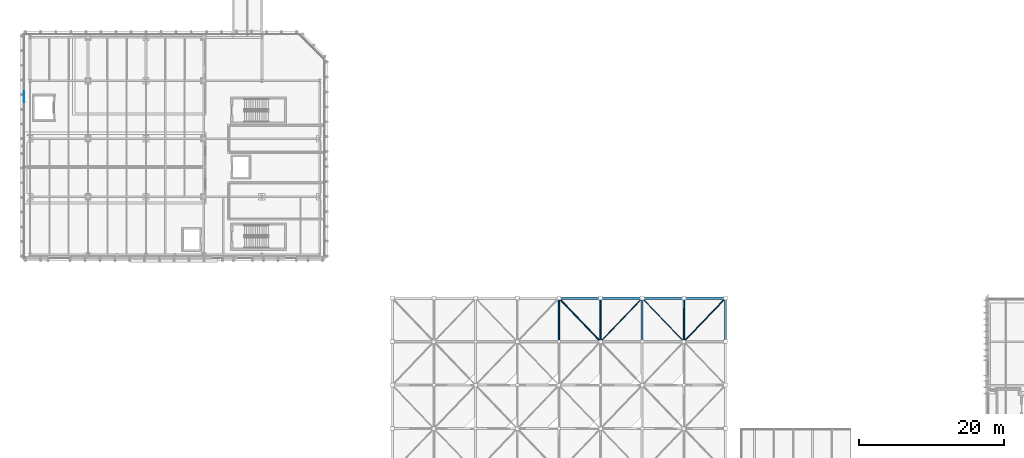
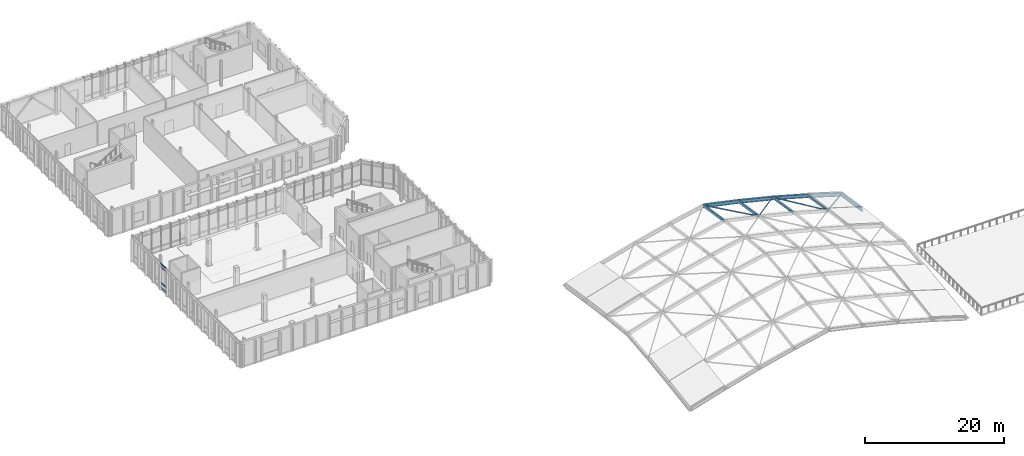
# One storey, part 14 of 62: 12 members, 5 beams, 1 element without a shape of its own.
"""IFC4 building model written with IfcOpenShell, lengths in metres."""

from ifc_helpers import new_model, si_unit, direction, frame, origin, origin_2d, place, context, subcontext, project, spatial, rectangle, hollow_circle, i_section, extrude, material, material_profile, profile_set, type_object, element, aggregate, save


model = new_model("IFC4")

# Units and contexts
model_context = context("Model", 3, precision=1e-05, world=origin(), true_north=direction((0.0, 1.0)))
body_context = subcontext(model_context, "Body", "Model", "MODEL_VIEW")
ifc_project = project(units=[si_unit("LENGTHUNIT", "METRE"), si_unit("AREAUNIT", "SQUARE_METRE"), si_unit("VOLUMEUNIT", "CUBIC_METRE"), si_unit("PLANEANGLEUNIT", "RADIAN"), si_unit("MASSUNIT", "GRAM", prefix="KILO")], contexts=[model_context])

# Site, building, storey
site_placement = place(None, origin())
site = spatial("IfcSite", under=ifc_project, at=site_placement, CompositionType="ELEMENT")
building_placement = place(site_placement, origin())
building = spatial("IfcBuilding", under=site, at=building_placement, Name="Cymarion Research Institute", CompositionType="ELEMENT")
storey_placement = place(building_placement, frame((0.0, 0.0, 18.300048828125)))
storey = spatial("IfcBuildingStorey", under=building, at=storey_placement, Name="L04", CompositionType="ELEMENT", Elevation=18.300048828125)

# Curtain wall, members
ifc_material_1 = material(Name="Anodised aluminium unitised curtain wall with Low-E glazing", Category="aluminium")
curtain_wall_type = type_object("IfcCurtainWallType", Name="UNITISED CURTAIN WALL CW43 6180X4240", PredefinedType="NOTDEFINED", material=ifc_material_1)
curtain_wall_placement = place(storey_placement, origin())
curtain_wall = element("IfcCurtainWall", 1, at=curtain_wall_placement, inside=storey, type_object=curtain_wall_type, Name="L04 V4 unitised curtain wall CW43 #189", PredefinedType="NOTDEFINED")
ifc_material_2 = material(Name="Anodised aluminium framing", Category="aluminium")
ifc_material_profile_1 = material_profile(ifc_material_2, rectangle(XDim=0.06005859375, YDim=0.14990234375, at=origin_2d()), Name="ALU TRANSOM 60x150")
ifc_profile_set_1 = profile_set([ifc_material_profile_1], Name="Anodised aluminium framing")
member_type_1 = type_object("IfcMemberType", Name="CURTAIN WALL TRANSOM TR01 60X150", PredefinedType="USERDEFINED", material=ifc_profile_set_1)
member_1_placement = place(storey_placement, frame((5.77001953125, 70.028564453125, 0.030029296875), z_axis=(0.0, -1.0, 0.0), x_axis=(1.0, 0.0, 0.0)))
member_1 = element("IfcMember", 2, at=member_1_placement, type_object=member_type_1, Name="CW43 transom 2.1", ObjectType="TRANSOM", PredefinedType="USERDEFINED", context=body_context, shape_type="SweptSolid", body=[
    extrude(rectangle(XDim=0.06005859375, YDim=0.14990234375, at=origin_2d()), origin(), (0.0, 0.0, 1.0), 1.48388671875),
])
member_2_placement = place(storey_placement, frame((5.77001953125, 70.028564453125, 0.89990234375), z_axis=(0.0, -1.0, 0.0), x_axis=(1.0, 0.0, 0.0)))
member_2 = element("IfcMember", 3, at=member_2_placement, type_object=member_type_1, Name="CW43 transom 2.2", ObjectType="TRANSOM", PredefinedType="USERDEFINED", context=body_context, shape_type="SweptSolid", body=[
    extrude(rectangle(XDim=0.06005859375, YDim=0.14990234375, at=origin_2d()), origin(), (0.0, 0.0, 1.0), 1.48388671875),
])
member_3_placement = place(storey_placement, frame((5.77001953125, 70.028564453125, 3.68994140625), z_axis=(0.0, -1.0, 0.0), x_axis=(1.0, 0.0, 0.0)))
member_3 = element("IfcMember", 4, at=member_3_placement, type_object=member_type_1, Name="CW43 transom 2.3", ObjectType="TRANSOM", PredefinedType="USERDEFINED", context=body_context, shape_type="SweptSolid", body=[
    extrude(rectangle(XDim=0.06005859375, YDim=0.14990234375, at=origin_2d()), origin(), (0.0, 0.0, 1.0), 1.48388671875),
])
member_4_placement = place(storey_placement, frame((5.77001953125, 70.028564453125, 4.2099609375), z_axis=(0.0, -1.0, 0.0), x_axis=(1.0, 0.0, 0.0)))
member_4 = element("IfcMember", 5, at=member_4_placement, type_object=member_type_1, Name="CW43 transom 2.4", ObjectType="TRANSOM", PredefinedType="USERDEFINED", context=body_context, shape_type="SweptSolid", body=[
    extrude(rectangle(XDim=0.06005859375, YDim=0.14990234375, at=origin_2d()), origin(), (0.0, 0.0, 1.0), 1.48388671875),
])
aggregate(curtain_wall, [member_1, member_2, member_3, member_4])

# Beams
ifc_material_3 = material(Name="Steel S355", Category="steel")
ifc_material_profile_2 = material_profile(ifc_material_3, i_section(OverallWidth=0.300048828125, OverallDepth=0.60009765625, WebThickness=0.015380859375, FlangeThickness=0.030029296875, FilletRadius=0.027099609375, at=origin_2d()), Name="HEB 600")
ifc_profile_set_2 = profile_set([ifc_material_profile_2], Name="Steel S355")
beam_type = type_object("IfcBeamType", Name="SPANDREL BEAM SPB01 HEB 600", PredefinedType="SPANDREL", material=ifc_profile_set_2)
beam_1_placement = place(storey_placement, frame((79.60791015625, 41.5, 5.77783203125), z_axis=(0.97740789229, 0.0, -0.211361803761), x_axis=(0.0, 1.0, 0.0)))
element("IfcBeam", 6, at=beam_1_placement, inside=storey, type_object=beam_type, Name="Gridshell perimeter thrust ring beam X 5", PredefinedType="SPANDREL", context=body_context, shape_type="SweptSolid", body=[
    extrude(i_section(OverallWidth=0.300048828125, OverallDepth=0.60009765625, WebThickness=0.015380859375, FlangeThickness=0.030029296875, FilletRadius=0.027099609375, at=origin_2d()), origin(), (0.0, 0.0, 1.0), 5.86669921875),
])
beam_2_placement = place(storey_placement, frame((85.35791015625, 41.5, 4.537841796875), z_axis=(0.971468293593, 0.0, -0.237169463766), x_axis=(0.0, 1.0, 0.0)))
element("IfcBeam", 7, at=beam_2_placement, inside=storey, type_object=beam_type, Name="Gridshell perimeter thrust ring beam X 6", PredefinedType="SPANDREL", context=body_context, shape_type="SweptSolid", body=[
    extrude(i_section(OverallWidth=0.300048828125, OverallDepth=0.60009765625, WebThickness=0.015380859375, FlangeThickness=0.030029296875, FilletRadius=0.027099609375, at=origin_2d()), origin(), (0.0, 0.0, 1.0), 5.902587890625),
])
beam_3_placement = place(storey_placement, frame((91.10791015625, 41.5, 3.137939453125), z_axis=(0.963201733469, 0.0, -0.268779501901), x_axis=(0.0, 1.0, 0.0)))
element("IfcBeam", 8, at=beam_3_placement, inside=storey, type_object=beam_type, Name="Gridshell perimeter thrust ring beam X 7", PredefinedType="SPANDREL", context=body_context, shape_type="SweptSolid", body=[
    extrude(i_section(OverallWidth=0.300048828125, OverallDepth=0.60009765625, WebThickness=0.015380859375, FlangeThickness=0.030029296875, FilletRadius=0.027099609375, at=origin_2d()), origin(), (0.0, 0.0, 1.0), 5.953125),
])
beam_4_placement = place(storey_placement, frame((96.85791015625, 41.5, 1.537841796875), z_axis=(0.955982073369, 0.0, -0.293425076294), x_axis=(0.0, 1.0, 0.0)))
element("IfcBeam", 9, at=beam_4_placement, inside=storey, type_object=beam_type, Name="Gridshell perimeter thrust ring beam X 8", PredefinedType="SPANDREL", context=body_context, shape_type="SweptSolid", body=[
    extrude(i_section(OverallWidth=0.300048828125, OverallDepth=0.60009765625, WebThickness=0.015380859375, FlangeThickness=0.030029296875, FilletRadius=0.027099609375, at=origin_2d()), origin(), (0.0, 0.0, 1.0), 5.998046875),
])
beam_5_placement = place(storey_placement, frame((102.60009765625, 35.508056640625, 0.7080078125), z_axis=(0.0, 0.988132791738, -0.153602037394), x_axis=(-1.0, 0.0, 0.0)))
element("IfcBeam", 10, at=beam_5_placement, inside=storey, type_object=beam_type, Name="Gridshell perimeter thrust ring beam Y 6", PredefinedType="SPANDREL", context=body_context, shape_type="SweptSolid", body=[
    extrude(i_section(OverallWidth=0.300048828125, OverallDepth=0.60009765625, WebThickness=0.015380859375, FlangeThickness=0.030029296875, FilletRadius=0.027099609375, at=origin_2d()), origin(), (0.0, 0.0, 1.0), 6.0556640625),
])

# Members
ifc_material_profile_3 = material_profile(ifc_material_3, hollow_circle(Radius=0.096923828125, WallThickness=0.010009765625, at=origin_2d()), Name="CHS 193.7x10")
ifc_profile_set_3 = profile_set([ifc_material_profile_3], Name="Steel S355")
member_type_2 = type_object("IfcMemberType", Name="STRUCTURAL MEMBER BR01 CHS 193.7x10", PredefinedType="BRACE", material=ifc_profile_set_3)
member_5_placement = place(storey_placement, frame((96.85986328125, 35.51025390625, 2.583251953125), z_axis=(0.658273683226, 0.686908910979, -0.307947894927), x_axis=(-0.721995568113, 0.691897680026, 0.0)))
element("IfcMember", 11, at=member_5_placement, inside=storey, type_object=member_type_2, Name="Gridshell tubular diagonal brace BR01 #130", PredefinedType="BRACE", context=body_context, shape_type="SweptSolid", body=[
    extrude(hollow_circle(Radius=0.096923828125, WallThickness=0.010009765625, at=origin_2d()), origin(), (0.0, 0.0, 1.0), 8.704833984375),
])
ifc_material_profile_4 = material_profile(ifc_material_3, hollow_circle(Radius=0.109619140625, WallThickness=0.010009765625, at=origin_2d()), Name="CHS 219.1x10")
ifc_profile_set_4 = profile_set([ifc_material_profile_4], Name="Steel S355")
member_type_3 = type_object("IfcMemberType", Name="STRUCTURAL MEMBER BR02 CHS 219.1x10", PredefinedType="BRACE", material=ifc_profile_set_4)
member_6_placement = place(storey_placement, frame((85.339599609375, 35.5107421875, 5.588623046875), z_axis=(-0.691414384273, 0.721496375424, 0.037271027234), x_axis=(-0.721998024065, -0.69189511723, 0.0)))
element("IfcMember", 12, at=member_6_placement, inside=storey, type_object=member_type_3, Name="Gridshell tubular diagonal brace BR02 #112", PredefinedType="BRACE", context=body_context, shape_type="SweptSolid", body=[
    extrude(hollow_circle(Radius=0.109619140625, WallThickness=0.010009765625, at=origin_2d()), origin(), (0.0, 0.0, 1.0), 8.286376953125),
])
ifc_material_profile_5 = material_profile(ifc_material_3, hollow_circle(Radius=0.084228515625, WallThickness=0.008056640625, at=origin_2d()), Name="CHS 168.3x8")
ifc_profile_set_5 = profile_set([ifc_material_profile_5], Name="Steel S355")
member_type_4 = type_object("IfcMemberType", Name="STRUCTURAL MEMBER BR05 CHS 168.3x8", PredefinedType="BRACE", material=ifc_profile_set_5)
member_7_placement = place(storey_placement, frame((85.360107421875, 35.510498046875, 5.583984375), z_axis=(0.666218486151, 0.695172165566, -0.269978867566), x_axis=(-0.721982068835, 0.691911766254, 0.0)))
element("IfcMember", 13, at=member_7_placement, inside=storey, type_object=member_type_4, Name="Gridshell tubular diagonal brace BR05 #118", PredefinedType="BRACE", context=body_context, shape_type="SweptSolid", body=[
    extrude(hollow_circle(Radius=0.084228515625, WallThickness=0.008056640625, at=origin_2d()), origin(), (0.0, 0.0, 1.0), 8.600830078125),
])
ifc_material_profile_6 = material_profile(ifc_material_3, hollow_circle(Radius=0.06982421875, WallThickness=0.008056640625, at=origin_2d()), Name="CHS 139.7x8")
ifc_profile_set_6 = profile_set([ifc_material_profile_6], Name="Steel S355")
member_type_5 = type_object("IfcMemberType", Name="STRUCTURAL MEMBER BR06 CHS 139.7x8", PredefinedType="BRACE", material=ifc_profile_set_6)
member_8_placement = place(storey_placement, frame((96.839599609375, 35.5107421875, 2.589111328125), z_axis=(-0.689656506381, 0.719662015948, 0.080377148547), x_axis=(-0.721998024065, -0.69189511723, 0.0)))
element("IfcMember", 14, at=member_8_placement, inside=storey, type_object=member_type_5, Name="Gridshell tubular diagonal brace BR06 #124", PredefinedType="BRACE", context=body_context, shape_type="SweptSolid", body=[
    extrude(hollow_circle(Radius=0.06982421875, WallThickness=0.008056640625, at=origin_2d()), origin(), (0.0, 0.0, 1.0), 8.307373046875),
])
ifc_material_4 = material(Name="Glulam GL28h", Category="wood")
ifc_material_profile_7 = material_profile(ifc_material_4, rectangle(XDim=0.199951171875, YDim=0.43994140625, at=origin_2d()), Name="GL28h 200x440")
ifc_profile_set_7 = profile_set([ifc_material_profile_7], Name="Glulam GL28h")
member_type_6 = type_object("IfcMemberType", Name="STRUCTURAL MEMBER GR03 GL28h 200x440", PredefinedType="PURLIN", material=ifc_profile_set_7)
for number, where, z_axis, x_axis, name in (
    (15, (79.60009765625, 35.508056640625, 6.787841796875), (0.0, 0.988138910046, -0.15356267272), (-1.0, 0.0, 0.0), "Gridshell glulam transverse purlin GR03 #64"),
    (16, (85.35009765625, 35.508056640625, 5.5478515625), (0.0, 0.988138910046, -0.15356267272), (-1.0, 0.0, 0.0), "Gridshell glulam transverse purlin GR03 #70"),
):
    element("IfcMember", number, at=place(storey_placement, frame(where, z_axis=z_axis, x_axis=x_axis)), inside=storey, type_object=member_type_6, Name=name, PredefinedType="PURLIN", context=body_context, shape_type="SweptSolid", body=[
        extrude(rectangle(XDim=0.199951171875, YDim=0.43994140625, at=origin_2d()), origin(), (0.0, 0.0, 1.0), 6.0556640625),
    ])
ifc_material_profile_8 = material_profile(ifc_material_4, rectangle(XDim=0.179931640625, YDim=0.360107421875, at=origin_2d()), Name="GL28h 180x360")
ifc_profile_set_8 = profile_set([ifc_material_profile_8], Name="Glulam GL28h")
member_type_7 = type_object("IfcMemberType", Name="STRUCTURAL MEMBER GR04 GL28h 180x360", PredefinedType="PURLIN", material=ifc_profile_set_8)
member_9_placement = place(storey_placement, frame((96.85009765625, 35.508056640625, 2.587890625), z_axis=(0.0, 0.988138910046, -0.15356267272), x_axis=(-1.0, 0.0, 0.0)))
element("IfcMember", 17, at=member_9_placement, inside=storey, type_object=member_type_7, Name="Gridshell glulam transverse purlin GR04 #82", PredefinedType="PURLIN", context=body_context, shape_type="SweptSolid", body=[
    extrude(rectangle(XDim=0.179931640625, YDim=0.360107421875, at=origin_2d()), origin(), (0.0, 0.0, 1.0), 6.0556640625),
])
ifc_material_profile_9 = material_profile(ifc_material_4, rectangle(XDim=0.280029296875, YDim=0.280029296875, at=origin_2d()), Name="GL28h 280x280")
ifc_profile_set_9 = profile_set([ifc_material_profile_9], Name="Glulam GL28h")
member_type_8 = type_object("IfcMemberType", Name="STRUCTURAL MEMBER GR05 GL28h 280x280", PredefinedType="PURLIN", material=ifc_profile_set_9)
member_10_placement = place(storey_placement, frame((91.10009765625, 35.508056640625, 4.22802734375), z_axis=(0.0, 0.988132791738, -0.153602037394), x_axis=(-1.0, 0.0, 0.0)))
element("IfcMember", 18, at=member_10_placement, inside=storey, type_object=member_type_8, Name="Gridshell glulam transverse purlin GR05 #76", PredefinedType="PURLIN", context=body_context, shape_type="SweptSolid", body=[
    extrude(rectangle(XDim=0.280029296875, YDim=0.280029296875, at=origin_2d()), origin(), (0.0, 0.0, 1.0), 6.0556640625),
])

save(model, "model.ifc")
